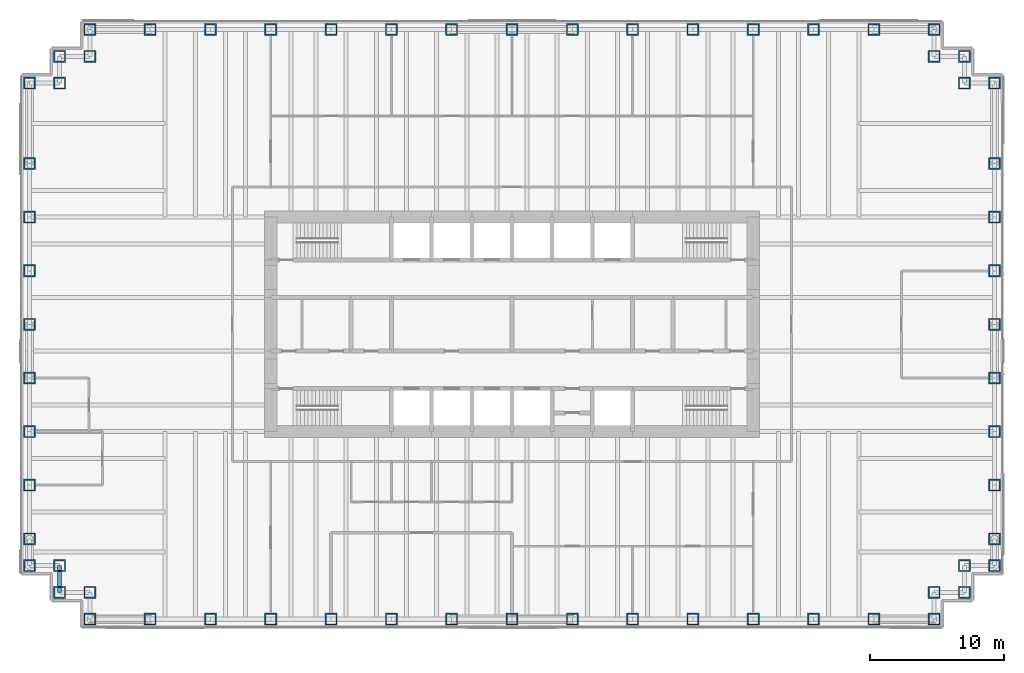
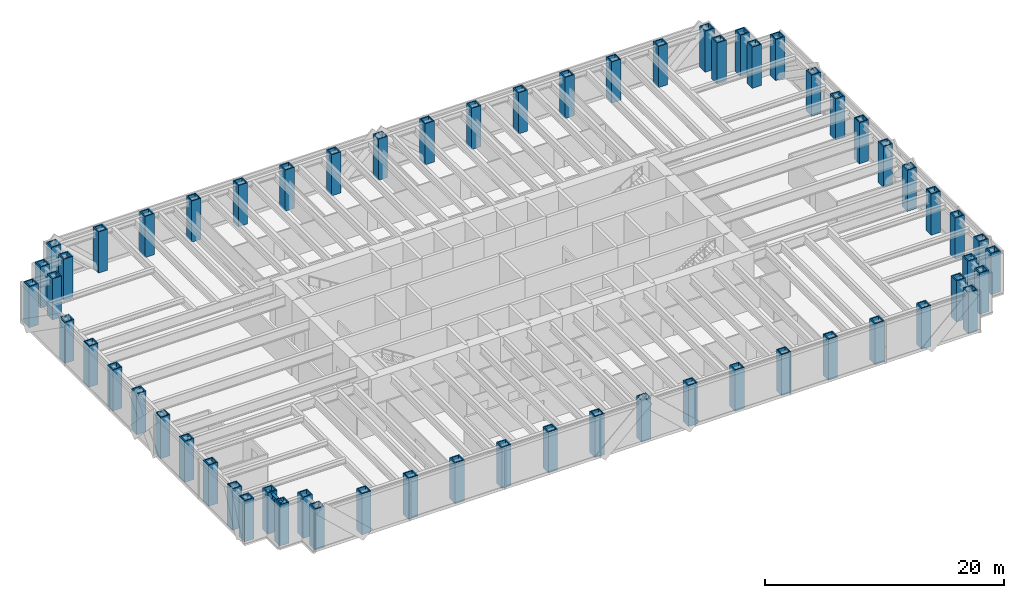
# One storey, part 1 of 17: 62 columns, 1 beam.
"""IFC4 building model written with IfcOpenShell, lengths in metres."""

from ifc_helpers import new_model, si_unit, direction, frame, origin, origin_2d, place, context, subcontext, project, spatial, hollow_rectangle, i_section, extrude, material, material_profile, profile_set, type_object, element, save


model = new_model("IFC4")

# Units and contexts
model_context = context("Model", 3, precision=1e-05, world=origin(), true_north=direction((0.0, 1.0)))
body_context = subcontext(model_context, "Body", "Model", "MODEL_VIEW")
ifc_project = project(units=[si_unit("LENGTHUNIT", "METRE"), si_unit("AREAUNIT", "SQUARE_METRE"), si_unit("VOLUMEUNIT", "CUBIC_METRE"), si_unit("PLANEANGLEUNIT", "RADIAN"), si_unit("MASSUNIT", "GRAM", prefix="KILO")], contexts=[model_context])

# Site, building, storey
site_placement = place(None, origin())
site = spatial("IfcSite", under=ifc_project, at=site_placement, CompositionType="ELEMENT")
building_placement = place(site_placement, origin())
building = spatial("IfcBuilding", under=site, at=building_placement, Name="Rheinbord Bourse Tower", CompositionType="ELEMENT")
storey_placement = place(building_placement, frame((0.0, 0.0, 121.5)))
storey = spatial("IfcBuildingStorey", under=building, at=storey_placement, Name="L26", CompositionType="ELEMENT", Elevation=121.5)

# Columns
ifc_material_1 = material(Name="Steel S460M", Category="steel")
ifc_material_profile_1 = material_profile(ifc_material_1, hollow_rectangle(XDim=0.89990234375, YDim=0.89990234375, WallThickness=0.10009765625, at=origin_2d()), Name="BOX 900x900x100")
ifc_profile_set_1 = profile_set([ifc_material_profile_1], Name="Steel S460M")
column_type = type_object("IfcColumnType", Name="TUBE COLUMN BOX 900x900x100", PredefinedType="COLUMN", material=ifc_profile_set_1)
for number, where, z_axis, x_axis, name in (
    (1, (4.5, 2.0, 0.0), (0.0, 0.0, 1.0), (0.0, 1.0, 0.0), "Column SW-E L26"),
    (2, (9.0, 2.0, 0.0), (0.0, 0.0, 1.0), (0.0, 1.0, 0.0), "Column S-9 L26"),
    (3, (13.5, 2.0, 0.0), (0.0, 0.0, 1.0), (0.0, 1.0, 0.0), "Column S-13.5 L26"),
    (4, (18.0, 2.0, 0.0), (0.0, 0.0, 1.0), (0.0, 1.0, 0.0), "Column S-18 L26"),
    (5, (22.5, 2.0, 0.0), (0.0, 0.0, 1.0), (0.0, 1.0, 0.0), "Column S-22.5 L26"),
    (6, (27.0, 2.0, 0.0), (0.0, 0.0, 1.0), (0.0, 1.0, 0.0), "Column S-27 L26"),
    (7, (31.5, 2.0, 0.0), (0.0, 0.0, 1.0), (0.0, 1.0, 0.0), "Column S-31.5 L26"),
    (8, (36.0, 2.0, 0.0), (0.0, 0.0, 1.0), (0.0, 1.0, 0.0), "Column S-36 L26"),
    (9, (40.5, 2.0, 0.0), (0.0, 0.0, 1.0), (0.0, 1.0, 0.0), "Column S-40.5 L26"),
    (10, (45.0, 2.0, 0.0), (0.0, 0.0, 1.0), (0.0, 1.0, 0.0), "Column S-45 L26"),
    (11, (49.5, 2.0, 0.0), (0.0, 0.0, 1.0), (0.0, 1.0, 0.0), "Column S-49.5 L26"),
    (12, (54.0, 2.0, 0.0), (0.0, 0.0, 1.0), (0.0, 1.0, 0.0), "Column S-54 L26"),
    (13, (58.5, 2.0, 0.0), (0.0, 0.0, 1.0), (0.0, 1.0, 0.0), "Column S-58.5 L26"),
    (14, (63.0, 2.0, 0.0), (0.0, 0.0, 1.0), (0.0, 1.0, 0.0), "Column S-63 L26"),
    (15, (67.5, 2.0, 0.0), (0.0, 0.0, 1.0), (0.0, 1.0, 0.0), "Column SE-E L26"),
    (16, (67.5, 4.0, 0.0), (0.0, 0.0, 1.0), (0.0, 1.0, 0.0), "Column SE-D L26"),
    (17, (69.75, 4.0, 0.0), (0.0, 0.0, 1.0), (1.0, 0.0, 0.0), "Column SE-C L26"),
    (18, (69.75, 6.0, 0.0), (0.0, 0.0, 1.0), (1.0, 0.0, 0.0), "Column SE-B L26"),
    (19, (72.0, 6.0, 0.0), (0.0, 0.0, 1.0), (1.0, 0.0, 0.0), "Column SE-A L26"),
    (20, (72.0, 8.0, 0.0), (0.0, 0.0, 1.0), (1.0, 0.0, 0.0), "Column E-8 L26"),
    (21, (72.0, 12.0, 0.0), (0.0, 0.0, 1.0), (1.0, 0.0, 0.0), "Column E-12 L26"),
    (22, (72.0, 16.0, 0.0), (0.0, 0.0, 1.0), (1.0, 0.0, 0.0), "Column E-16 L26"),
    (23, (72.0, 20.0, 0.0), (0.0, 0.0, 1.0), (1.0, 0.0, 0.0), "Column E-20 L26"),
    (24, (72.0, 24.0, 0.0), (0.0, 0.0, 1.0), (1.0, 0.0, 0.0), "Column E-24 L26"),
    (25, (72.0, 28.0, 0.0), (0.0, 0.0, 1.0), (1.0, 0.0, 0.0), "Column E-28 L26"),
    (26, (72.0, 32.0, 0.0), (0.0, 0.0, 1.0), (1.0, 0.0, 0.0), "Column E-32 L26"),
    (27, (72.0, 36.0, 0.0), (0.0, 0.0, 1.0), (1.0, 0.0, 0.0), "Column E-36 L26"),
    (28, (72.0, 42.0, 0.0), (0.0, 0.0, 1.0), (1.0, 0.0, 0.0), "Column NE-A L26"),
    (29, (69.75, 42.0, 0.0), (0.0, 0.0, 1.0), (1.0, 0.0, 0.0), "Column NE-B L26"),
    (30, (69.75, 44.0, 0.0), (0.0, 0.0, 1.0), (1.0, 0.0, 0.0), "Column NE-C L26"),
    (31, (67.5, 44.0, 0.0), (0.0, 0.0, 1.0), (0.0, 1.0, 0.0), "Column NE-D L26"),
    (32, (67.5, 46.0, 0.0), (0.0, 0.0, 1.0), (0.0, 1.0, 0.0), "Column NE-E L26"),
    (33, (63.0, 46.0, 0.0), (0.0, 0.0, 1.0), (0.0, 1.0, 0.0), "Column N-63 L26"),
    (34, (58.5, 46.0, 0.0), (0.0, 0.0, 1.0), (0.0, 1.0, 0.0), "Column N-58.5 L26"),
    (35, (54.0, 46.0, 0.0), (0.0, 0.0, 1.0), (0.0, 1.0, 0.0), "Column N-54 L26"),
    (36, (49.5, 46.0, 0.0), (0.0, 0.0, 1.0), (0.0, 1.0, 0.0), "Column N-49.5 L26"),
    (37, (45.0, 46.0, 0.0), (0.0, 0.0, 1.0), (0.0, 1.0, 0.0), "Column N-45 L26"),
    (38, (40.5, 46.0, 0.0), (0.0, 0.0, 1.0), (0.0, 1.0, 0.0), "Column N-40.5 L26"),
    (39, (36.0, 46.0, 0.0), (0.0, 0.0, 1.0), (0.0, 1.0, 0.0), "Column N-36 L26"),
    (40, (31.5, 46.0, 0.0), (0.0, 0.0, 1.0), (0.0, 1.0, 0.0), "Column N-31.5 L26"),
    (41, (27.0, 46.0, 0.0), (0.0, 0.0, 1.0), (0.0, 1.0, 0.0), "Column N-27 L26"),
    (42, (22.5, 46.0, 0.0), (0.0, 0.0, 1.0), (0.0, 1.0, 0.0), "Column N-22.5 L26"),
    (43, (18.0, 46.0, 0.0), (0.0, 0.0, 1.0), (0.0, 1.0, 0.0), "Column N-18 L26"),
    (44, (13.5, 46.0, 0.0), (0.0, 0.0, 1.0), (0.0, 1.0, 0.0), "Column N-13.5 L26"),
    (45, (9.0, 46.0, 0.0), (0.0, 0.0, 1.0), (0.0, 1.0, 0.0), "Column N-9 L26"),
    (46, (4.5, 46.0, 0.0), (0.0, 0.0, 1.0), (0.0, 1.0, 0.0), "Column NW-E L26"),
    (47, (4.5, 44.0, 0.0), (0.0, 0.0, 1.0), (0.0, 1.0, 0.0), "Column NW-D L26"),
    (48, (2.25, 44.0, 0.0), (0.0, 0.0, 1.0), (1.0, 0.0, 0.0), "Column NW-C L26"),
    (49, (2.25, 42.0, 0.0), (0.0, 0.0, 1.0), (1.0, 0.0, 0.0), "Column NW-B L26"),
    (50, (0.0, 42.0, 0.0), (0.0, 0.0, 1.0), (1.0, 0.0, 0.0), "Column NW-A L26"),
    (51, (0.0, 36.0, 0.0), (0.0, 0.0, 1.0), (1.0, 0.0, 0.0), "Column W-36 L26"),
    (52, (0.0, 32.0, 0.0), (0.0, 0.0, 1.0), (1.0, 0.0, 0.0), "Column W-32 L26"),
    (53, (0.0, 28.0, 0.0), (0.0, 0.0, 1.0), (1.0, 0.0, 0.0), "Column W-28 L26"),
    (54, (0.0, 24.0, 0.0), (0.0, 0.0, 1.0), (1.0, 0.0, 0.0), "Column W-24 L26"),
    (55, (0.0, 20.0, 0.0), (0.0, 0.0, 1.0), (1.0, 0.0, 0.0), "Column W-20 L26"),
    (56, (0.0, 16.0, 0.0), (0.0, 0.0, 1.0), (1.0, 0.0, 0.0), "Column W-16 L26"),
    (57, (0.0, 12.0, 0.0), (0.0, 0.0, 1.0), (1.0, 0.0, 0.0), "Column W-12 L26"),
    (58, (0.0, 8.0, 0.0), (0.0, 0.0, 1.0), (1.0, 0.0, 0.0), "Column W-8 L26"),
    (59, (0.0, 6.0, 0.0), (0.0, 0.0, 1.0), (1.0, 0.0, 0.0), "Column SW-A L26"),
    (60, (2.25, 6.0, 0.0), (0.0, 0.0, 1.0), (1.0, 0.0, 0.0), "Column SW-B L26"),
    (61, (2.25, 4.0, 0.0), (0.0, 0.0, 1.0), (1.0, 0.0, 0.0), "Column SW-C L26"),
    (62, (4.5, 4.0, 0.0), (0.0, 0.0, 1.0), (0.0, 1.0, 0.0), "Column SW-D L26"),
):
    element("IfcColumn", number, at=place(storey_placement, frame(where, z_axis=z_axis, x_axis=x_axis)), inside=storey, type_object=column_type, Name=name, PredefinedType="COLUMN", context=body_context, shape_type="SweptSolid", body=[
        extrude(hollow_rectangle(XDim=0.89990234375, YDim=0.89990234375, WallThickness=0.10009765625, at=origin_2d()), origin(), (0.0, 0.0, 1.0), 4.199951171875),
    ])

# Beam
ifc_material_2 = material(Name="Steel S460", Category="steel")
ifc_material_profile_2 = material_profile(ifc_material_2, i_section(OverallWidth=0.305908203125, OverallDepth=0.572021484375, WebThickness=0.02099609375, FlangeThickness=0.0400390625, at=origin_2d()), Name="HEM 550")
ifc_profile_set_2 = profile_set([ifc_material_profile_2], Name="Steel S460")
beam_type = type_object("IfcBeamType", Name="SPANDREL HEM 550", PredefinedType="SPANDREL", material=ifc_profile_set_2)
beam_placement = place(storey_placement, frame((2.25, 6.0, 3.75390625), z_axis=(0.0, -1.0, 0.0), x_axis=(1.0, 0.0, 0.0)))
element("IfcBeam", 63, at=beam_placement, inside=storey, type_object=beam_type, Name="Spandrel SW-B-SW-C under L27", PredefinedType="SPANDREL", context=body_context, shape_type="SweptSolid", body=[
    extrude(i_section(OverallWidth=0.305908203125, OverallDepth=0.572021484375, WebThickness=0.02099609375, FlangeThickness=0.0400390625, at=origin_2d()), origin(), (0.0, 0.0, 1.0), 2.0),
])

save(model, "model.ifc")
